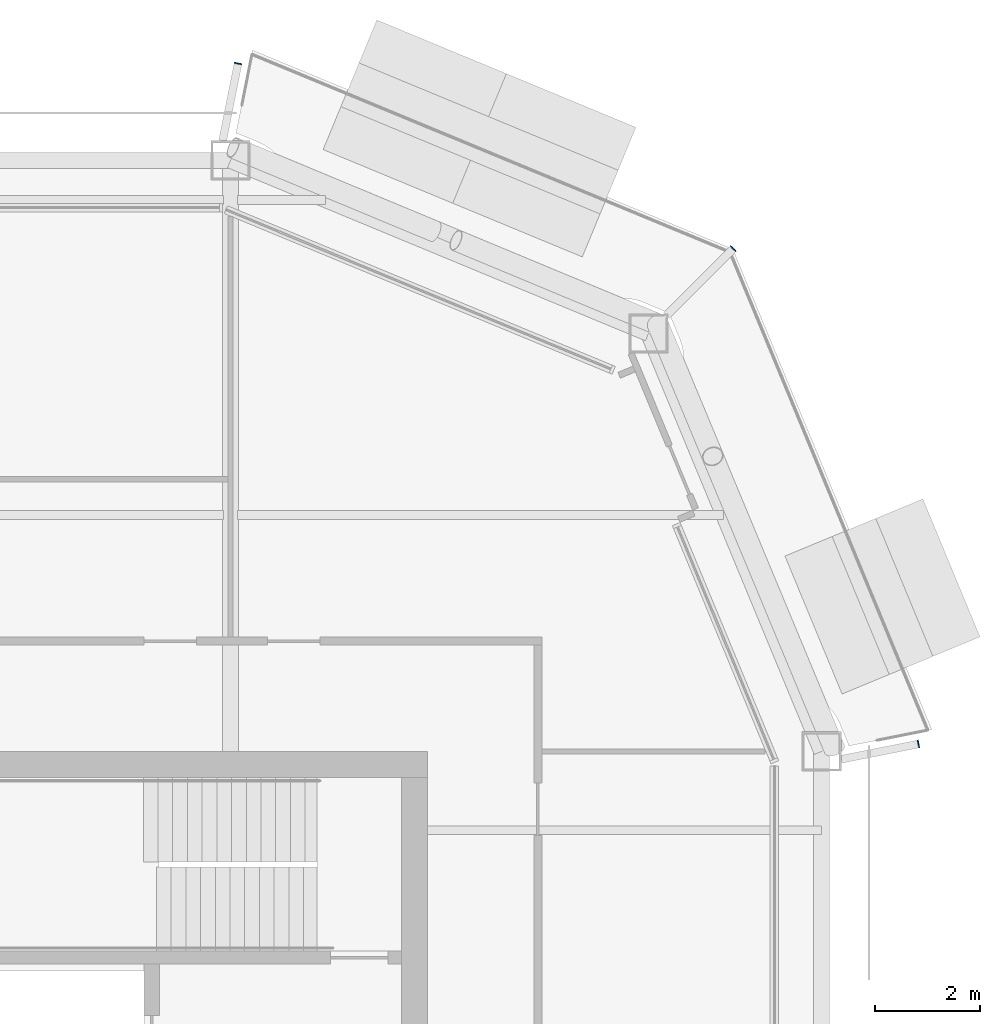
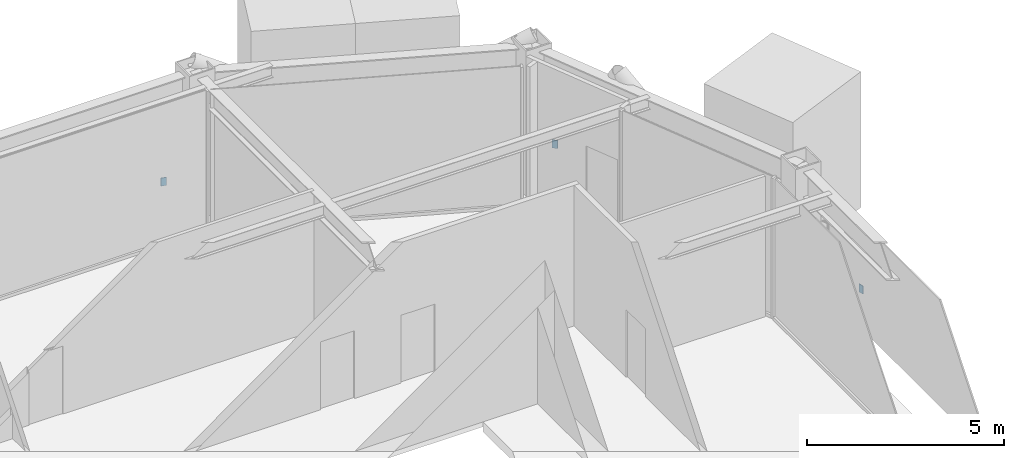
# One storey, part 15 of 20: 3 discrete accessories.
"""IFC4 building model written with IfcOpenShell, lengths in metres."""

from ifc_helpers import new_model, si_unit, direction, frame, origin, origin_2d, place, context, subcontext, project, spatial, rectangle, extrude, material, layer, layer_set, type_object, element, save


model = new_model("IFC4")

# Units and contexts
model_context = context("Model", 3, precision=1e-05, world=origin(), true_north=direction((0.0, 1.0)))
body_context = subcontext(model_context, "Body", "Model", "MODEL_VIEW")
ifc_project = project(units=[si_unit("LENGTHUNIT", "METRE"), si_unit("AREAUNIT", "SQUARE_METRE"), si_unit("VOLUMEUNIT", "CUBIC_METRE"), si_unit("PLANEANGLEUNIT", "RADIAN"), si_unit("MASSUNIT", "GRAM", prefix="KILO")], contexts=[model_context])

# Site, building, storey
site_placement = place(None, origin())
site = spatial("IfcSite", under=ifc_project, at=site_placement, CompositionType="ELEMENT")
building_placement = place(site_placement, origin())
building = spatial("IfcBuilding", under=site, at=building_placement, Name="Siwar Civic Tower", CompositionType="ELEMENT")
storey_placement = place(building_placement, frame((0.0, 0.0, 307.699951171875)))
storey = spatial("IfcBuildingStorey", under=building, at=storey_placement, Name="L66", CompositionType="ELEMENT", Elevation=307.699951171875)

# Discrete accessories
ifc_material = material(Name="Steel S355", Category="steel")
ifc_layer = layer(ifc_material, 0.02001953125)
ifc_layer_set = layer_set([ifc_layer], Name="Steel S355")
discrete_accessory_type = type_object("IfcDiscreteAccessoryType", Name="STR-END-CAP", PredefinedType="USERDEFINED", material=ifc_layer_set)
for number, where, z_axis, x_axis, name in (
    (1, (26.5947265625, 13.642578125, -0.39990234375), (0.0, 0.0, 1.0), (0.980785280373, 0.19509032217, 0.0), "End cap plate Balcony cantilever beam NE 1"),
    (2, (23.0693359375, 23.0693359375, -0.39990234375), (0.0, 0.0, 1.0), (0.707106781187, 0.707106781187, 0.0), "End cap plate Balcony cantilever beam NE 2"),
    (3, (13.642578125, 26.5947265625, -0.39990234375), (0.0, 0.0, 1.0), (0.19509032217, 0.980785280373, 0.0), "End cap plate Balcony cantilever beam NE 3"),
):
    element("IfcDiscreteAccessory", number, at=place(storey_placement, frame(where, z_axis=z_axis, x_axis=x_axis)), inside=storey, type_object=discrete_accessory_type, Name=name, ObjectType="END CAP PLATE", PredefinedType="USERDEFINED", context=body_context, shape_type="SweptSolid", body=[
        extrude(rectangle(XDim=0.02001953125, YDim=0.14990234375, at=origin_2d()), origin(), (0.0, 0.0, 1.0), 0.25),
    ])

save(model, "model.ifc")
